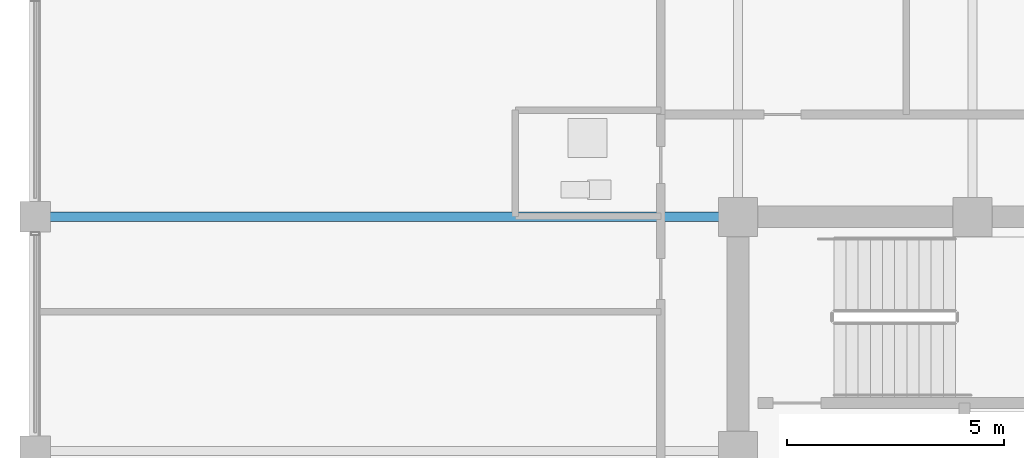
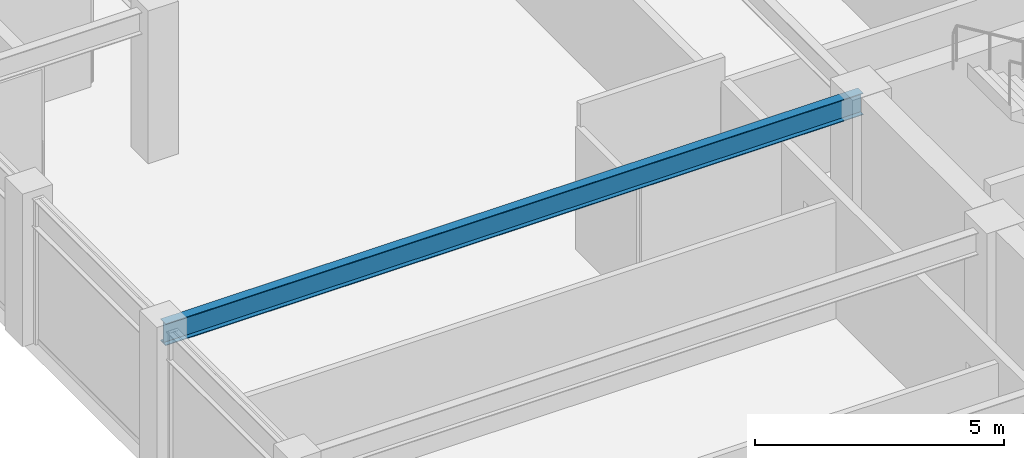
# One storey, part 15 of 34: 1 beam.
"""IFC4 building model written with IfcOpenShell, lengths in metres."""

import ifcopenshell
import ifcopenshell.guid

model = None  # the IFC model being written
_history = None  # IfcOwnerHistory: only IFC2X3 demands one
_inside = {}  # id of a spatial element -> (the spatial element, [elements in it])
_under = {}  # id of a project, library or spatial element -> (it, [spatial elements below it])
_declared = {}  # id of a project -> (the project, [libraries it declares])
_typed = {}  # id of a type object -> (the type object, [elements of that type])
_made_of = {}  # id of a material, layer set ... -> (it, [elements and type objects made of it])


def new_model(schema):
    """Start an empty IFC model of exactly this schema.

    Asked for "IFC4X3", IfcOpenShell would pick the latest addendum, in which some entities
    have other attributes; the version numbers below select the first issue.
    IFC2X3 requires an IfcOwnerHistory on every rooted entity: one is made here for all.
    """
    global model, _history
    if schema == "IFC4X3":
        model = ifcopenshell.file(schema_version=(4, 3, 0, 0))
    else:
        model = ifcopenshell.file(schema=schema)
    _inside.clear()
    _under.clear()
    _declared.clear()
    _typed.clear()
    _made_of.clear()
    _history = None
    if model.schema == "IFC2X3":
        org = make("IfcOrganization", Name="unknown")
        user = make(
            "IfcPersonAndOrganization",
            ThePerson=make("IfcPerson", FamilyName="unknown"),
            TheOrganization=org,
        )
        app = make(
            "IfcApplication",
            ApplicationDeveloper=org,
            Version="unknown",
            ApplicationFullName="unknown",
            ApplicationIdentifier="unknown",
        )
        _history = make(
            "IfcOwnerHistory",
            OwningUser=user,
            OwningApplication=app,
            ChangeAction="ADDED",
            CreationDate=0,
        )
    return model


def make(cls, **values):
    """One entity of the class cls with the attributes given. An attribute that is None is left unset."""
    return model.create_entity(
        cls, **{name: value for name, value in values.items() if value is not None}
    )


def rooted(cls, **values):
    """An entity with a GlobalId (a new one), such as an element, a storey or a relation."""
    return make(cls, GlobalId=ifcopenshell.guid.new(), OwnerHistory=_history, **values)


def si_unit(unit_type, name, prefix=None):
    """IfcSIUnit, for example si_unit("LENGTHUNIT", "METRE", prefix="MILLI")."""
    return make("IfcSIUnit", UnitType=unit_type, Prefix=prefix, Name=name)


def assignment(units):
    """IfcUnitAssignment: the units of a project."""
    return None if units is None else make("IfcUnitAssignment", Units=units)


def point(xyz):
    """IfcCartesianPoint."""
    return None if xyz is None else make("IfcCartesianPoint", Coordinates=xyz)


def direction(xyz):
    """IfcDirection."""
    return None if xyz is None else make("IfcDirection", DirectionRatios=xyz)


def frame(location, z_axis=None, x_axis=None):
    """IfcAxis2Placement3D, a coordinate frame: its origin and axes. An axis left out is left unset."""
    return make(
        "IfcAxis2Placement3D",
        Location=point(location),
        Axis=direction(z_axis),
        RefDirection=direction(x_axis),
    )


def frame_2d(location, x_axis=None):
    """IfcAxis2Placement2D, a coordinate frame in the plane: its origin and x axis."""
    return make(
        "IfcAxis2Placement2D", Location=point(location), RefDirection=direction(x_axis)
    )


def origin():
    """The frame at (0, 0, 0) with its axes left unset."""
    return frame((0.0, 0.0, 0.0))


def origin_2d():
    """The frame at (0, 0) in the plane with its x axis left unset."""
    return frame_2d((0.0, 0.0))


def place(relative_to, where):
    """IfcLocalPlacement: puts the frame where relative to a parent placement (None: the world)."""
    return make(
        "IfcLocalPlacement", PlacementRelTo=relative_to, RelativePlacement=where
    )


def context(
    kind, dimensions, precision=None, world=None, true_north=None, identifier=None
):
    """IfcGeometricRepresentationContext, for example the 3D "Model" context."""
    return make(
        "IfcGeometricRepresentationContext",
        ContextIdentifier=identifier,
        ContextType=kind,
        CoordinateSpaceDimension=dimensions,
        Precision=precision,
        WorldCoordinateSystem=world,
        TrueNorth=true_north,
    )


def subcontext(parent, identifier, kind, view, scale=None):
    """IfcGeometricRepresentationSubContext, for example "Body" below "Model"."""
    return make(
        "IfcGeometricRepresentationSubContext",
        ContextIdentifier=identifier,
        ContextType=kind,
        ParentContext=parent,
        TargetScale=scale,
        TargetView=view,
    )


def project(units=None, contexts=None):
    """IfcProject with its units and contexts."""
    return rooted(
        "IfcProject",
        Name="project",
        RepresentationContexts=contexts,
        UnitsInContext=assignment(units),
    )


def spatial(cls, under=None, at=None, **own):
    """A site, building, storey or space (cls), placed at a placement, below another one or the project."""
    s = rooted(cls, ObjectPlacement=at, **own)
    if under is not None:
        _under.setdefault(under.id(), (under, []))[1].append(s)
    return s


def profile(cls, at=None, kind="AREA", **sizes):
    """A parametric profile (cls). Its sizes go by their IFC names, for example OverallWidth=200.0."""
    return make(cls, ProfileType=kind, Position=at, **sizes)


def i_section(**sizes):
    """IfcIShapeProfileDef."""
    return profile("IfcIShapeProfileDef", **sizes)


def extrude(swept, where, along, depth):
    """IfcExtrudedAreaSolid: the profile swept, set in the frame where, extruded along a direction by depth."""
    return make(
        "IfcExtrudedAreaSolid",
        SweptArea=swept,
        Position=where,
        ExtrudedDirection=direction(along),
        Depth=depth,
    )


def shape(context_of_items, identifier, shape_type, items):
    """IfcShapeRepresentation: the items that make up one representation, for example the "Body"."""
    return make(
        "IfcShapeRepresentation",
        ContextOfItems=context_of_items,
        RepresentationIdentifier=identifier,
        RepresentationType=shape_type,
        Items=items,
    )


def material(Name=None, Category=None):
    """IfcMaterial."""
    return make("IfcMaterial", Name=Name, Category=Category)


def material_profile(
    of_material, cross_section, Name=None, Category=None, Priority=None
):
    """IfcMaterialProfile: a cross section and its material."""
    return make(
        "IfcMaterialProfile",
        Name=Name,
        Material=of_material,
        Profile=cross_section,
        Priority=Priority,
        Category=Category,
    )


def profile_set(profiles, Name=None, composite=None):
    """IfcMaterialProfileSet."""
    return make(
        "IfcMaterialProfileSet",
        Name=Name,
        MaterialProfiles=profiles,
        CompositeProfile=composite,
    )


def made_of(thing, what):
    """Note that an element or type object is made of a material, layer set ...; save() writes the relation."""
    if what is not None:
        _made_of.setdefault(what.id(), (what, []))[1].append(thing)
    return thing


def type_object(cls, material=None, **own):
    """A type object (cls), such as IfcWallType, which elements share."""
    return made_of(rooted(cls, **own), material)


def element(
    cls,
    number,
    at=None,
    inside=None,
    cuts=None,
    type_object=None,
    material=None,
    context=None,
    identifier="Body",
    shape_type=None,
    held_by="IfcProductDefinitionShape",
    body=None,
    shapes=None,
    **own,
):
    """One element of the class cls, such as IfcWall. Its Tag is "e" and its number.

    at: its placement. inside: the storey or other place that contains it. cuts: it is an
    opening in that element (IfcRelVoidsElement). A single representation is given by context,
    identifier, shape_type and body (its items); several are given by shapes. held_by: the class
    of the entity that holds the representations. save() writes the other relations.
    """
    e = rooted(cls, Tag="e%d" % number, ObjectPlacement=at, **own)
    if body is not None:
        shapes = [shape(context, identifier, shape_type, body)]
    if shapes is not None:
        e.Representation = make(held_by, Representations=shapes)
    if inside is not None:
        _inside.setdefault(inside.id(), (inside, []))[1].append(e)
    if cuts is not None:
        rooted(
            "IfcRelVoidsElement", RelatingBuildingElement=cuts, RelatedOpeningElement=e
        )
    if type_object is not None:
        _typed.setdefault(type_object.id(), (type_object, []))[1].append(e)
    return made_of(e, material)


def aggregate(whole, parts):
    """IfcRelAggregates: a whole, such as a stair, and the parts it consists of."""
    return rooted("IfcRelAggregates", RelatingObject=whole, RelatedObjects=parts)


def save(model, path):
    """Write the relations noted so far, then the file.

    IfcRelAggregates (storeys below a building ...), IfcRelContainedInSpatialStructure (elements
    in a storey), IfcRelDefinesByType, IfcRelAssociatesMaterial and IfcRelDeclares: one each for
    every whole, place, type object, material and project.
    """
    for whole, parts in _under.values():
        aggregate(whole, parts)
    for where, things in _inside.values():
        rooted(
            "IfcRelContainedInSpatialStructure",
            RelatedElements=things,
            RelatingStructure=where,
        )
    for kind, things in _typed.values():
        rooted("IfcRelDefinesByType", RelatedObjects=things, RelatingType=kind)
    for what, things in _made_of.values():
        rooted("IfcRelAssociatesMaterial", RelatedObjects=things, RelatingMaterial=what)
    for by, libraries in _declared.values():
        rooted("IfcRelDeclares", RelatingContext=by, RelatedDefinitions=libraries)
    model.write(path)


model = new_model("IFC4")

# Units and contexts
model_context = context("Model", 3, precision=1e-05, world=origin(), true_north=direction((0.0, 1.0)))
body_context = subcontext(model_context, "Body", "Model", "MODEL_VIEW")
ifc_project = project(units=[si_unit("LENGTHUNIT", "METRE"), si_unit("AREAUNIT", "SQUARE_METRE"), si_unit("VOLUMEUNIT", "CUBIC_METRE"), si_unit("PLANEANGLEUNIT", "RADIAN"), si_unit("MASSUNIT", "GRAM", prefix="KILO")], contexts=[model_context])

# Site, building, storey
site_placement = place(None, origin())
site = spatial("IfcSite", under=ifc_project, at=site_placement, CompositionType="ELEMENT")
building_placement = place(site_placement, origin())
building = spatial("IfcBuilding", under=site, at=building_placement, Name="Surkhivell Harbour Commons", CompositionType="ELEMENT")
storey_placement = place(building_placement, frame((0.0, 0.0, 258.75)))
storey = spatial("IfcBuildingStorey", under=building, at=storey_placement, Name="L67", CompositionType="ELEMENT", Elevation=258.75)

# Beam
ifc_material = material(Name="Steel S355", Category="steel")
ifc_material_profile = material_profile(ifc_material, i_section(OverallWidth=0.2099609375, OverallDepth=0.537109375, WebThickness=0.0107421875, FlangeThickness=0.017333984375, at=origin_2d()), Name="UB533x210x101")
ifc_profile_set = profile_set([ifc_material_profile], Name="Steel S355")
beam_type = type_object("IfcBeamType", Name="BM-GRD-533B", PredefinedType="BEAM", material=ifc_profile_set)
beam_placement = place(storey_placement, frame((-27.0, 10.800048828125, 3.301513671875), z_axis=(1.0, 0.0, 0.0), x_axis=(0.0, 1.0, 0.0)))
element("IfcBeam", 1, at=beam_placement, inside=storey, type_object=beam_type, Name="L67 Floor Girder (-27.0,10.8)", PredefinedType="BEAM", context=body_context, shape_type="SweptSolid", body=[
    extrude(i_section(OverallWidth=0.2099609375, OverallDepth=0.537109375, WebThickness=0.0107421875, FlangeThickness=0.017333984375, at=origin_2d()), origin(), (0.0, 0.0, 1.0), 16.199951171875),
])

save(model, "model.ifc")
